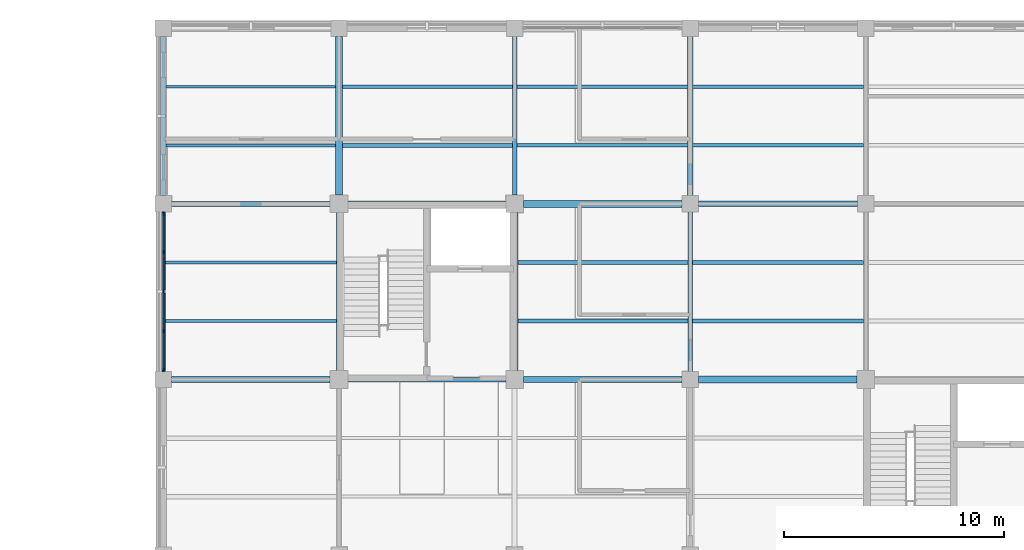
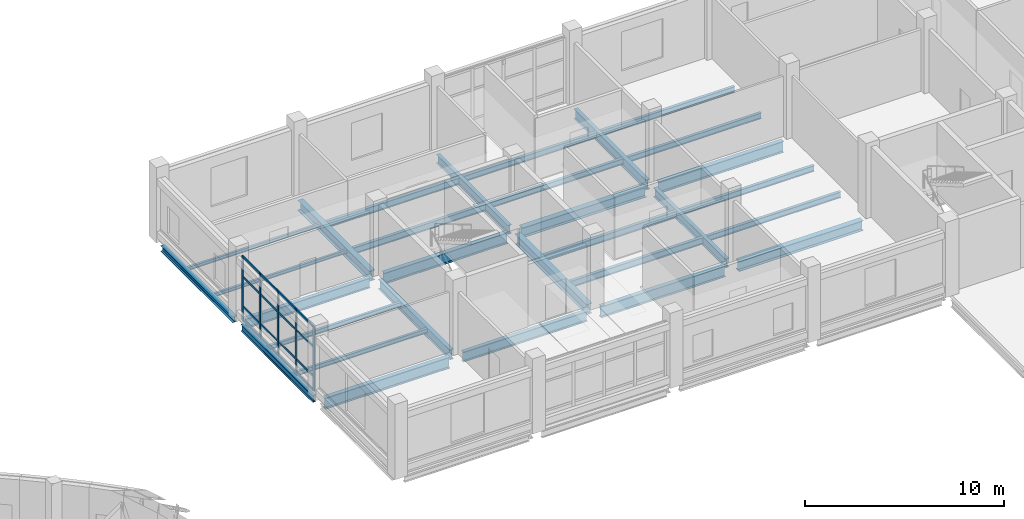
# One storey, part 56 of 121: 30 beams, 21 members, 1 element without a shape of its own.
"""IFC4 building model written with IfcOpenShell, lengths in metres."""

from ifc_helpers import new_model, si_unit, derived_unit, direction, frame, origin, origin_2d, place, context, subcontext, project, spatial, rectangle, i_section, extrude, material, layer, layer_set, material_profile, profile_set, type_object, element, aggregate, save


model = new_model("IFC4")

# Units and contexts
model_context = context("Model", 3, precision=1e-05, world=origin(), true_north=direction((0.0, 1.0)))
body_context = subcontext(model_context, "Body", "Model", "MODEL_VIEW")
ifc_project = project(units=[si_unit("LENGTHUNIT", "METRE"), si_unit("AREAUNIT", "SQUARE_METRE"), si_unit("VOLUMEUNIT", "CUBIC_METRE"), si_unit("PLANEANGLEUNIT", "RADIAN"), si_unit("MASSUNIT", "GRAM", prefix="KILO"), derived_unit("THERMALTRANSMITTANCEUNIT", [(si_unit("MASSUNIT", "GRAM", prefix="KILO"), 1), (si_unit("TIMEUNIT", "SECOND"), -3), (si_unit("THERMODYNAMICTEMPERATUREUNIT", "KELVIN"), -1)])], contexts=[model_context])

# Site, building, storey
site_placement = place(None, origin())
site = spatial("IfcSite", under=ifc_project, at=site_placement, CompositionType="ELEMENT")
building_placement = place(site_placement, origin())
building = spatial("IfcBuilding", under=site, at=building_placement, Name="Veyamyaing Civic Hall", CompositionType="ELEMENT")
storey_placement = place(building_placement, frame((0.0, 0.0, 5.280029296875)))
storey = spatial("IfcBuildingStorey", under=building, at=storey_placement, Name="L01", CompositionType="ELEMENT", Elevation=5.280029296875)

# Beams
ifc_material_1 = material(Name="Steel ASTM A992", Category="steel")
ifc_material_profile_1 = material_profile(ifc_material_1, i_section(OverallWidth=0.256103515625, OverallDepth=0.693115234375, WebThickness=0.014404296875, FlangeThickness=0.023681640625, FilletRadius=0.013916015625, at=origin_2d()), Name="W690X170")
ifc_profile_set_1 = profile_set([ifc_material_profile_1], Name="Steel ASTM A992")
beam_type_1 = type_object("IfcBeamType", Name="B-04", PredefinedType="BEAM", material=ifc_profile_set_1)
beam_1_placement = place(storey_placement, frame((128.375, 96.0, -0.591552734375), z_axis=(1.0, 0.0, 0.0), x_axis=(0.0, 1.0, 0.0)))
element("IfcBeam", 1, at=beam_1_placement, inside=storey, type_object=beam_type_1, Name="Girder B-04 L01 Grid N 17-18", PredefinedType="BEAM", context=body_context, shape_type="SweptSolid", body=[
    extrude(i_section(OverallWidth=0.256103515625, OverallDepth=0.693115234375, WebThickness=0.014404296875, FlangeThickness=0.023681640625, FilletRadius=0.013916015625, at=origin_2d()), origin(), (0.0, 0.0, 1.0), 7.22509765625),
])
beam_2_placement = place(storey_placement, frame((152.375, 104.0, -0.591552734375), z_axis=(1.0, 0.0, 0.0), x_axis=(0.0, 1.0, 0.0)))
element("IfcBeam", 2, at=beam_2_placement, inside=storey, type_object=beam_type_1, Name="Girder B-04 L01 Grid P 20-21", PredefinedType="BEAM", context=body_context, shape_type="SweptSolid", body=[
    extrude(i_section(OverallWidth=0.256103515625, OverallDepth=0.693115234375, WebThickness=0.014404296875, FlangeThickness=0.023681640625, FilletRadius=0.013916015625, at=origin_2d()), origin(), (0.0, 0.0, 1.0), 7.25),
])
ifc_material_profile_2 = material_profile(ifc_material_1, i_section(OverallWidth=0.22998046875, OverallDepth=0.616943359375, WebThickness=0.01318359375, FlangeThickness=0.022216796875, FilletRadius=0.012939453125, at=origin_2d()), Name="W610X140")
ifc_profile_set_2 = profile_set([ifc_material_profile_2], Name="Steel ASTM A992")
beam_type_2 = type_object("IfcBeamType", Name="B-05", PredefinedType="BEAM", material=ifc_profile_set_2)
beam_3_placement = place(storey_placement, frame((136.39990234375, 96.0, -0.553466796875), z_axis=(1.0, 0.0, 0.0), x_axis=(0.0, 1.0, 0.0)))
element("IfcBeam", 3, at=beam_3_placement, inside=storey, type_object=beam_type_2, Name="Girder B-05 L01 Grid N 18-19", PredefinedType="BEAM", context=body_context, shape_type="SweptSolid", body=[
    extrude(i_section(OverallWidth=0.22998046875, OverallDepth=0.616943359375, WebThickness=0.01318359375, FlangeThickness=0.022216796875, FilletRadius=0.012939453125, at=origin_2d()), origin(), (0.0, 0.0, 1.0), 7.2001953125),
])
beam_4_placement = place(storey_placement, frame((128.375, 104.0, -0.553466796875), z_axis=(1.0, 0.0, 0.0), x_axis=(0.0, 1.0, 0.0)))
element("IfcBeam", 4, at=beam_4_placement, inside=storey, type_object=beam_type_2, Name="Girder B-05 L01 Grid P 17-18", PredefinedType="BEAM", context=body_context, shape_type="SweptSolid", body=[
    extrude(i_section(OverallWidth=0.22998046875, OverallDepth=0.616943359375, WebThickness=0.01318359375, FlangeThickness=0.022216796875, FilletRadius=0.012939453125, at=origin_2d()), origin(), (0.0, 0.0, 1.0), 7.22509765625),
])
beam_5_placement = place(storey_placement, frame((152.0, 104.375, -0.553466796875), z_axis=(0.0, 1.0, 0.0), x_axis=(-1.0, 0.0, 0.0)))
element("IfcBeam", 5, at=beam_5_placement, inside=storey, type_object=beam_type_2, Name="Girder B-05 L01 Grid 20 P-Q", PredefinedType="BEAM", context=body_context, shape_type="SweptSolid", body=[
    extrude(i_section(OverallWidth=0.22998046875, OverallDepth=0.616943359375, WebThickness=0.01318359375, FlangeThickness=0.022216796875, FilletRadius=0.012939453125, at=origin_2d()), origin(), (0.0, 0.0, 1.0), 7.25),
])
ifc_material_profile_3 = material_profile(ifc_material_1, i_section(OverallWidth=0.22802734375, OverallDepth=0.60791015625, WebThickness=0.01123046875, FlangeThickness=0.017333984375, FilletRadius=0.012939453125, at=origin_2d()), Name="W610X113")
ifc_profile_set_3 = profile_set([ifc_material_profile_3], Name="Steel ASTM A992")
beam_type_3 = type_object("IfcBeamType", Name="B-06", PredefinedType="BEAM", material=ifc_profile_set_3)
beam_6_placement = place(storey_placement, frame((136.0, 96.39990234375, -0.549072265625), z_axis=(0.0, 1.0, 0.0), x_axis=(-1.0, 0.0, 0.0)))
element("IfcBeam", 6, at=beam_6_placement, inside=storey, type_object=beam_type_3, Name="Girder B-06 L01 Grid 18 N-P", PredefinedType="BEAM", context=body_context, shape_type="SweptSolid", body=[
    extrude(i_section(OverallWidth=0.22802734375, OverallDepth=0.60791015625, WebThickness=0.01123046875, FlangeThickness=0.017333984375, FilletRadius=0.012939453125, at=origin_2d()), origin(), (0.0, 0.0, 1.0), 7.2001953125),
])
ifc_material_profile_4 = material_profile(ifc_material_1, i_section(OverallWidth=0.25390625, OverallDepth=0.68408203125, WebThickness=0.012451171875, FlangeThickness=0.01904296875, FilletRadius=0.013916015625, at=origin_2d()), Name="W690X140")
ifc_profile_set_4 = profile_set([ifc_material_profile_4], Name="Steel ASTM A992")
beam_type_4 = type_object("IfcBeamType", Name="B-14", PredefinedType="BEAM", material=ifc_profile_set_4)
beam_7_placement = place(storey_placement, frame((144.39990234375, 96.0, -0.5869140625), z_axis=(1.0, 0.0, 0.0), x_axis=(0.0, 1.0, 0.0)))
element("IfcBeam", 7, at=beam_7_placement, inside=storey, type_object=beam_type_4, Name="Girder B-14 L01 Grid N 19-20", PredefinedType="BEAM", context=body_context, shape_type="SweptSolid", body=[
    extrude(i_section(OverallWidth=0.25390625, OverallDepth=0.68408203125, WebThickness=0.012451171875, FlangeThickness=0.01904296875, FilletRadius=0.013916015625, at=origin_2d()), origin(), (0.0, 0.0, 1.0), 7.22509765625),
])
beam_8_placement = place(storey_placement, frame((136.39990234375, 104.0, -0.5869140625), z_axis=(1.0, 0.0, 0.0), x_axis=(0.0, 1.0, 0.0)))
element("IfcBeam", 8, at=beam_8_placement, inside=storey, type_object=beam_type_4, Name="Girder B-14 L01 Grid P 18-19", PredefinedType="BEAM", context=body_context, shape_type="SweptSolid", body=[
    extrude(i_section(OverallWidth=0.25390625, OverallDepth=0.68408203125, WebThickness=0.012451171875, FlangeThickness=0.01904296875, FilletRadius=0.013916015625, at=origin_2d()), origin(), (0.0, 0.0, 1.0), 7.2001953125),
])
ifc_material_profile_5 = material_profile(ifc_material_1, i_section(OverallWidth=0.324951171875, OverallDepth=0.615966796875, WebThickness=0.013916015625, FlangeThickness=0.021484375, FilletRadius=0.013916015625, at=origin_2d()), Name="W610X174")
ifc_profile_set_5 = profile_set([ifc_material_profile_5], Name="Steel ASTM A992")
beam_type_5 = type_object("IfcBeamType", Name="B-15", PredefinedType="BEAM", material=ifc_profile_set_5)
for number, where, z_axis, x_axis, name in (
    (9, (152.375, 96.0, -0.552978515625), (1.0, 0.0, 0.0), (0.0, 1.0, 0.0), "Girder B-15 L01 Grid N 20-21"),
    (10, (144.39990234375, 104.0, -0.552978515625), (1.0, 0.0, 0.0), (0.0, 1.0, 0.0), "Girder B-15 L01 Grid P 19-20"),
    (11, (136.0, 104.39990234375, -0.552978515625), (0.0, 1.0, 0.0), (-1.0, 0.0, 0.0), "Girder B-15 L01 Grid 18 P-Q"),
):
    element("IfcBeam", number, at=place(storey_placement, frame(where, z_axis=z_axis, x_axis=x_axis)), inside=storey, type_object=beam_type_5, Name=name, PredefinedType="BEAM", context=body_context, shape_type="SweptSolid", body=[
        extrude(i_section(OverallWidth=0.324951171875, OverallDepth=0.615966796875, WebThickness=0.013916015625, FlangeThickness=0.021484375, FilletRadius=0.013916015625, at=origin_2d()), origin(), (0.0, 0.0, 1.0), 7.22509765625),
    ])
beam_9_placement = place(storey_placement, frame((144.0, 96.39990234375, -0.552978515625), z_axis=(0.0, 1.0, 0.0), x_axis=(-1.0, 0.0, 0.0)))
element("IfcBeam", 12, at=beam_9_placement, inside=storey, type_object=beam_type_5, Name="Girder B-15 L01 Grid 19 N-P", PredefinedType="BEAM", context=body_context, shape_type="SweptSolid", body=[
    extrude(i_section(OverallWidth=0.324951171875, OverallDepth=0.615966796875, WebThickness=0.013916015625, FlangeThickness=0.021484375, FilletRadius=0.013916015625, at=origin_2d()), origin(), (0.0, 0.0, 1.0), 7.2001953125),
])
ifc_material_profile_6 = material_profile(ifc_material_1, i_section(OverallWidth=0.214111328125, OverallDepth=0.549072265625, WebThickness=0.0146484375, FlangeThickness=0.023681640625, FilletRadius=0.011962890625, at=origin_2d()), Name="W530X138")
ifc_profile_set_6 = profile_set([ifc_material_profile_6], Name="Steel ASTM A992")
beam_type_6 = type_object("IfcBeamType", Name="B-16", PredefinedType="BEAM", material=ifc_profile_set_6)
beam_10_placement = place(storey_placement, frame((144.0, 104.39990234375, -0.51953125), z_axis=(0.0, 1.0, 0.0), x_axis=(-1.0, 0.0, 0.0)))
element("IfcBeam", 13, at=beam_10_placement, inside=storey, type_object=beam_type_6, Name="Girder B-16 L01 Grid 19 P-Q", PredefinedType="BEAM", context=body_context, shape_type="SweptSolid", body=[
    extrude(i_section(OverallWidth=0.214111328125, OverallDepth=0.549072265625, WebThickness=0.0146484375, FlangeThickness=0.023681640625, FilletRadius=0.011962890625, at=origin_2d()), origin(), (0.0, 0.0, 1.0), 7.22509765625),
])
beam_11_placement = place(storey_placement, frame((152.0, 96.375, -0.51953125), z_axis=(0.0, 1.0, 0.0), x_axis=(-1.0, 0.0, 0.0)))
element("IfcBeam", 14, at=beam_11_placement, inside=storey, type_object=beam_type_6, Name="Girder B-16 L01 Grid 20 N-P", PredefinedType="BEAM", context=body_context, shape_type="SweptSolid", body=[
    extrude(i_section(OverallWidth=0.214111328125, OverallDepth=0.549072265625, WebThickness=0.0146484375, FlangeThickness=0.023681640625, FilletRadius=0.011962890625, at=origin_2d()), origin(), (0.0, 0.0, 1.0), 7.25),
])
ifc_material_profile_7 = material_profile(ifc_material_1, i_section(OverallWidth=0.180908203125, OverallDepth=0.4169921875, WebThickness=0.010986328125, FlangeThickness=0.018310546875, FilletRadius=0.010009765625, at=origin_2d()), Name="W410X85")
ifc_profile_set_7 = profile_set([ifc_material_profile_7], Name="Steel ASTM A992")
beam_type_7 = type_object("IfcBeamType", Name="B-19", PredefinedType="SPANDREL", material=ifc_profile_set_7)
beam_12_placement = place(storey_placement, frame((128.0, 96.375, -0.45361328125), z_axis=(0.0, 1.0, 0.0), x_axis=(-1.0, 0.0, 0.0)))
element("IfcBeam", 15, at=beam_12_placement, inside=storey, type_object=beam_type_7, Name="Girder B-19 L01 Grid 17 N-P", PredefinedType="SPANDREL", context=body_context, shape_type="SweptSolid", body=[
    extrude(i_section(OverallWidth=0.180908203125, OverallDepth=0.4169921875, WebThickness=0.010986328125, FlangeThickness=0.018310546875, FilletRadius=0.010009765625, at=origin_2d()), origin(), (0.0, 0.0, 1.0), 7.25),
])
ifc_material_profile_8 = material_profile(ifc_material_1, i_section(OverallWidth=0.25390625, OverallDepth=0.35302734375, WebThickness=0.009521484375, FlangeThickness=0.016357421875, FilletRadius=0.011962890625, at=origin_2d()), Name="W360X91")
ifc_profile_set_8 = profile_set([ifc_material_profile_8], Name="Steel ASTM A992")
beam_type_8 = type_object("IfcBeamType", Name="B-20", PredefinedType="SPANDREL", material=ifc_profile_set_8)
beam_13_placement = place(storey_placement, frame((128.0, 104.375, -0.421630859375), z_axis=(0.0, 1.0, 0.0), x_axis=(-1.0, 0.0, 0.0)))
element("IfcBeam", 16, at=beam_13_placement, inside=storey, type_object=beam_type_8, Name="Girder B-20 L01 Grid 17 P-Q", PredefinedType="SPANDREL", context=body_context, shape_type="SweptSolid", body=[
    extrude(i_section(OverallWidth=0.25390625, OverallDepth=0.35302734375, WebThickness=0.009521484375, FlangeThickness=0.016357421875, FilletRadius=0.011962890625, at=origin_2d()), origin(), (0.0, 0.0, 1.0), 7.25),
])

# Curtain wall, members
ifc_material_2 = material(Name="Anodised aluminium 6063-T6", Category="aluminium")
ifc_layer = layer(ifc_material_2, 0.159912109375, Name="Anodised aluminium 6063-T6")
ifc_layer_set = layer_set([ifc_layer], Name="Anodised aluminium 6063-T6")
curtain_wall_type = type_object("IfcCurtainWallType", Name="CW-02", PredefinedType="NOTDEFINED", material=ifc_layer_set)
curtain_wall_placement = place(storey_placement, origin())
curtain_wall = element("IfcCurtainWall", 17, at=curtain_wall_placement, inside=storey, type_object=curtain_wall_type, Name="Unitized curtain wall CW-02 L01 W 17.13", PredefinedType="NOTDEFINED")
ifc_material_profile_9 = material_profile(ifc_material_2, rectangle(XDim=0.06494140625, YDim=0.159912109375, at=origin_2d()), Name="ALU-MUL-65X160")
ifc_profile_set_9 = profile_set([ifc_material_profile_9], Name="Anodised aluminium 6063-T6")
member_type_1 = type_object("IfcMemberType", Name="CWM-01", PredefinedType="MULLION", material=ifc_profile_set_9)
member_1_placement = place(storey_placement, frame((128.0, 96.4375, 0.0), z_axis=(0.0, 0.0, 1.0), x_axis=(-1.0, 0.0, 0.0)))
member_1 = element("IfcMember", 18, at=member_1_placement, type_object=member_type_1, Name="CW-02 mullion 1", PredefinedType="MULLION", context=body_context, shape_type="SweptSolid", body=[
    extrude(rectangle(XDim=0.06494140625, YDim=0.159912109375, at=origin_2d()), origin(), (0.0, 0.0, 1.0), 3.973876953125),
])
member_2_placement = place(storey_placement, frame((128.0, 98.202392578125, 0.0), z_axis=(0.0, 0.0, 1.0), x_axis=(-1.0, 0.0, 0.0)))
member_2 = element("IfcMember", 19, at=member_2_placement, type_object=member_type_1, Name="CW-02 mullion 2", PredefinedType="MULLION", context=body_context, shape_type="SweptSolid", body=[
    extrude(rectangle(XDim=0.06494140625, YDim=0.159912109375, at=origin_2d()), origin(), (0.0, 0.0, 1.0), 3.973876953125),
])
member_3_placement = place(storey_placement, frame((128.0, 100.0, 0.0), z_axis=(0.0, 0.0, 1.0), x_axis=(-1.0, 0.0, 0.0)))
member_3 = element("IfcMember", 20, at=member_3_placement, type_object=member_type_1, Name="CW-02 mullion 3", PredefinedType="MULLION", context=body_context, shape_type="SweptSolid", body=[
    extrude(rectangle(XDim=0.06494140625, YDim=0.159912109375, at=origin_2d()), origin(), (0.0, 0.0, 1.0), 3.973876953125),
])
member_4_placement = place(storey_placement, frame((128.0, 101.797607421875, 0.0), z_axis=(0.0, 0.0, 1.0), x_axis=(-1.0, 0.0, 0.0)))
member_4 = element("IfcMember", 21, at=member_4_placement, type_object=member_type_1, Name="CW-02 mullion 4", PredefinedType="MULLION", context=body_context, shape_type="SweptSolid", body=[
    extrude(rectangle(XDim=0.06494140625, YDim=0.159912109375, at=origin_2d()), origin(), (0.0, 0.0, 1.0), 3.973876953125),
])
member_5_placement = place(storey_placement, frame((128.0, 103.5625, 0.0), z_axis=(0.0, 0.0, 1.0), x_axis=(-1.0, 0.0, 0.0)))
member_5 = element("IfcMember", 22, at=member_5_placement, type_object=member_type_1, Name="CW-02 mullion 5", PredefinedType="MULLION", context=body_context, shape_type="SweptSolid", body=[
    extrude(rectangle(XDim=0.06494140625, YDim=0.159912109375, at=origin_2d()), origin(), (0.0, 0.0, 1.0), 3.973876953125),
])
ifc_material_profile_10 = material_profile(ifc_material_2, rectangle(XDim=0.06494140625, YDim=0.1201171875, at=origin_2d()), Name="ALU-TRN-65X120")
ifc_profile_set_10 = profile_set([ifc_material_profile_10], Name="Anodised aluminium 6063-T6")
member_type_2 = type_object("IfcMemberType", Name="CWT-01", PredefinedType="USERDEFINED", material=ifc_profile_set_10)
member_6_placement = place(storey_placement, frame((128.0, 96.469970703125, 0.032470703125), z_axis=(0.0, 1.0, 0.0), x_axis=(-1.0, 0.0, 0.0)))
member_6 = element("IfcMember", 23, at=member_6_placement, type_object=member_type_2, Name="CW-02 transom 1.1", ObjectType="TRANSOM", PredefinedType="USERDEFINED", context=body_context, shape_type="SweptSolid", body=[
    extrude(rectangle(XDim=0.06494140625, YDim=0.1201171875, at=origin_2d()), origin(), (0.0, 0.0, 1.0), 1.699951171875),
])
member_7_placement = place(storey_placement, frame((128.0, 96.469970703125, 0.89990234375), z_axis=(0.0, 1.0, 0.0), x_axis=(-1.0, 0.0, 0.0)))
member_7 = element("IfcMember", 24, at=member_7_placement, type_object=member_type_2, Name="CW-02 transom 1.2", ObjectType="TRANSOM", PredefinedType="USERDEFINED", context=body_context, shape_type="SweptSolid", body=[
    extrude(rectangle(XDim=0.06494140625, YDim=0.1201171875, at=origin_2d()), origin(), (0.0, 0.0, 1.0), 1.699951171875),
])
member_8_placement = place(storey_placement, frame((128.0, 96.469970703125, 2.702392578125), z_axis=(0.0, 1.0, 0.0), x_axis=(-1.0, 0.0, 0.0)))
member_8 = element("IfcMember", 25, at=member_8_placement, type_object=member_type_2, Name="CW-02 transom 1.3", ObjectType="TRANSOM", PredefinedType="USERDEFINED", context=body_context, shape_type="SweptSolid", body=[
    extrude(rectangle(XDim=0.06494140625, YDim=0.1201171875, at=origin_2d()), origin(), (0.0, 0.0, 1.0), 1.699951171875),
])
member_9_placement = place(storey_placement, frame((128.0, 96.469970703125, 3.94140625), z_axis=(0.0, 1.0, 0.0), x_axis=(-1.0, 0.0, 0.0)))
member_9 = element("IfcMember", 26, at=member_9_placement, type_object=member_type_2, Name="CW-02 transom 1.4", ObjectType="TRANSOM", PredefinedType="USERDEFINED", context=body_context, shape_type="SweptSolid", body=[
    extrude(rectangle(XDim=0.06494140625, YDim=0.1201171875, at=origin_2d()), origin(), (0.0, 0.0, 1.0), 1.699951171875),
])
member_10_placement = place(storey_placement, frame((128.0, 98.235107421875, 0.032470703125), z_axis=(0.0, 1.0, 0.0), x_axis=(-1.0, 0.0, 0.0)))
member_10 = element("IfcMember", 27, at=member_10_placement, type_object=member_type_2, Name="CW-02 transom 2.1", ObjectType="TRANSOM", PredefinedType="USERDEFINED", context=body_context, shape_type="SweptSolid", body=[
    extrude(rectangle(XDim=0.06494140625, YDim=0.1201171875, at=origin_2d()), origin(), (0.0, 0.0, 1.0), 1.732421875),
])
member_11_placement = place(storey_placement, frame((128.0, 98.235107421875, 0.89990234375), z_axis=(0.0, 1.0, 0.0), x_axis=(-1.0, 0.0, 0.0)))
member_11 = element("IfcMember", 28, at=member_11_placement, type_object=member_type_2, Name="CW-02 transom 2.2", ObjectType="TRANSOM", PredefinedType="USERDEFINED", context=body_context, shape_type="SweptSolid", body=[
    extrude(rectangle(XDim=0.06494140625, YDim=0.1201171875, at=origin_2d()), origin(), (0.0, 0.0, 1.0), 1.732421875),
])
member_12_placement = place(storey_placement, frame((128.0, 98.235107421875, 2.702392578125), z_axis=(0.0, 1.0, 0.0), x_axis=(-1.0, 0.0, 0.0)))
member_12 = element("IfcMember", 29, at=member_12_placement, type_object=member_type_2, Name="CW-02 transom 2.3", ObjectType="TRANSOM", PredefinedType="USERDEFINED", context=body_context, shape_type="SweptSolid", body=[
    extrude(rectangle(XDim=0.06494140625, YDim=0.1201171875, at=origin_2d()), origin(), (0.0, 0.0, 1.0), 1.732421875),
])
member_13_placement = place(storey_placement, frame((128.0, 98.235107421875, 3.94140625), z_axis=(0.0, 1.0, 0.0), x_axis=(-1.0, 0.0, 0.0)))
member_13 = element("IfcMember", 30, at=member_13_placement, type_object=member_type_2, Name="CW-02 transom 2.4", ObjectType="TRANSOM", PredefinedType="USERDEFINED", context=body_context, shape_type="SweptSolid", body=[
    extrude(rectangle(XDim=0.06494140625, YDim=0.1201171875, at=origin_2d()), origin(), (0.0, 0.0, 1.0), 1.732421875),
])
member_14_placement = place(storey_placement, frame((128.0, 100.032470703125, 0.032470703125), z_axis=(0.0, 1.0, 0.0), x_axis=(-1.0, 0.0, 0.0)))
member_14 = element("IfcMember", 31, at=member_14_placement, type_object=member_type_2, Name="CW-02 transom 3.1", ObjectType="TRANSOM", PredefinedType="USERDEFINED", context=body_context, shape_type="SweptSolid", body=[
    extrude(rectangle(XDim=0.06494140625, YDim=0.1201171875, at=origin_2d()), origin(), (0.0, 0.0, 1.0), 1.732421875),
])
member_15_placement = place(storey_placement, frame((128.0, 100.032470703125, 0.89990234375), z_axis=(0.0, 1.0, 0.0), x_axis=(-1.0, 0.0, 0.0)))
member_15 = element("IfcMember", 32, at=member_15_placement, type_object=member_type_2, Name="CW-02 transom 3.2", ObjectType="TRANSOM", PredefinedType="USERDEFINED", context=body_context, shape_type="SweptSolid", body=[
    extrude(rectangle(XDim=0.06494140625, YDim=0.1201171875, at=origin_2d()), origin(), (0.0, 0.0, 1.0), 1.732421875),
])
member_16_placement = place(storey_placement, frame((128.0, 100.032470703125, 2.702392578125), z_axis=(0.0, 1.0, 0.0), x_axis=(-1.0, 0.0, 0.0)))
member_16 = element("IfcMember", 33, at=member_16_placement, type_object=member_type_2, Name="CW-02 transom 3.3", ObjectType="TRANSOM", PredefinedType="USERDEFINED", context=body_context, shape_type="SweptSolid", body=[
    extrude(rectangle(XDim=0.06494140625, YDim=0.1201171875, at=origin_2d()), origin(), (0.0, 0.0, 1.0), 1.732421875),
])
member_17_placement = place(storey_placement, frame((128.0, 100.032470703125, 3.94140625), z_axis=(0.0, 1.0, 0.0), x_axis=(-1.0, 0.0, 0.0)))
member_17 = element("IfcMember", 34, at=member_17_placement, type_object=member_type_2, Name="CW-02 transom 3.4", ObjectType="TRANSOM", PredefinedType="USERDEFINED", context=body_context, shape_type="SweptSolid", body=[
    extrude(rectangle(XDim=0.06494140625, YDim=0.1201171875, at=origin_2d()), origin(), (0.0, 0.0, 1.0), 1.732421875),
])
member_18_placement = place(storey_placement, frame((128.0, 101.830078125, 0.032470703125), z_axis=(0.0, 1.0, 0.0), x_axis=(-1.0, 0.0, 0.0)))
member_18 = element("IfcMember", 35, at=member_18_placement, type_object=member_type_2, Name="CW-02 transom 4.1", ObjectType="TRANSOM", PredefinedType="USERDEFINED", context=body_context, shape_type="SweptSolid", body=[
    extrude(rectangle(XDim=0.06494140625, YDim=0.1201171875, at=origin_2d()), origin(), (0.0, 0.0, 1.0), 1.699951171875),
])
member_19_placement = place(storey_placement, frame((128.0, 101.830078125, 0.89990234375), z_axis=(0.0, 1.0, 0.0), x_axis=(-1.0, 0.0, 0.0)))
member_19 = element("IfcMember", 36, at=member_19_placement, type_object=member_type_2, Name="CW-02 transom 4.2", ObjectType="TRANSOM", PredefinedType="USERDEFINED", context=body_context, shape_type="SweptSolid", body=[
    extrude(rectangle(XDim=0.06494140625, YDim=0.1201171875, at=origin_2d()), origin(), (0.0, 0.0, 1.0), 1.699951171875),
])
member_20_placement = place(storey_placement, frame((128.0, 101.830078125, 2.702392578125), z_axis=(0.0, 1.0, 0.0), x_axis=(-1.0, 0.0, 0.0)))
member_20 = element("IfcMember", 37, at=member_20_placement, type_object=member_type_2, Name="CW-02 transom 4.3", ObjectType="TRANSOM", PredefinedType="USERDEFINED", context=body_context, shape_type="SweptSolid", body=[
    extrude(rectangle(XDim=0.06494140625, YDim=0.1201171875, at=origin_2d()), origin(), (0.0, 0.0, 1.0), 1.699951171875),
])
member_21_placement = place(storey_placement, frame((128.0, 101.830078125, 3.94140625), z_axis=(0.0, 1.0, 0.0), x_axis=(-1.0, 0.0, 0.0)))
member_21 = element("IfcMember", 38, at=member_21_placement, type_object=member_type_2, Name="CW-02 transom 4.4", ObjectType="TRANSOM", PredefinedType="USERDEFINED", context=body_context, shape_type="SweptSolid", body=[
    extrude(rectangle(XDim=0.06494140625, YDim=0.1201171875, at=origin_2d()), origin(), (0.0, 0.0, 1.0), 1.699951171875),
])
aggregate(curtain_wall, [member_1, member_2, member_3, member_4, member_5, member_6, member_7, member_8, member_9, member_10, member_11, member_12, member_13, member_14, member_15, member_16, member_17, member_18, member_19, member_20, member_21])

# Beams
ifc_material_profile_11 = material_profile(ifc_material_1, i_section(OverallWidth=0.177978515625, OverallDepth=0.406982421875, WebThickness=0.0078125, FlangeThickness=0.0126953125, FilletRadius=0.010009765625, at=origin_2d()), Name="W410X60")
ifc_profile_set_11 = profile_set([ifc_material_profile_11], Name="Steel ASTM A992")
beam_type_9 = type_object("IfcBeamType", Name="J-01", PredefinedType="JOIST", material=ifc_profile_set_11)
for number, where, z_axis, x_axis, name in (
    (39, (136.160400390625, 106.666748046875, -0.448486328125), (1.0, 0.0, 0.0), (0.0, 1.0, 0.0), "Composite floor joist J-01 L01 18.14.1"),
    (40, (136.160400390625, 109.333251953125, -0.448486328125), (1.0, 0.0, 0.0), (0.0, 1.0, 0.0), "Composite floor joist J-01 L01 18.14.2"),
    (41, (144.160400390625, 98.666748046875, -0.448486328125), (1.0, 0.0, 0.0), (0.0, 1.0, 0.0), "Composite floor joist J-01 L01 19.13.1"),
    (42, (144.160400390625, 101.333251953125, -0.448486328125), (1.0, 0.0, 0.0), (0.0, 1.0, 0.0), "Composite floor joist J-01 L01 19.13.2"),
):
    element("IfcBeam", number, at=place(storey_placement, frame(where, z_axis=z_axis, x_axis=x_axis)), inside=storey, type_object=beam_type_9, Name=name, PredefinedType="JOIST", context=body_context, shape_type="SweptSolid", body=[
        extrude(i_section(OverallWidth=0.177978515625, OverallDepth=0.406982421875, WebThickness=0.0078125, FlangeThickness=0.0126953125, FilletRadius=0.010009765625, at=origin_2d()), origin(), (0.0, 0.0, 1.0), 7.734619140625),
    ])
ifc_material_profile_12 = material_profile(ifc_material_1, i_section(OverallWidth=0.172119140625, OverallDepth=0.35791015625, WebThickness=0.0078125, FlangeThickness=0.01318359375, FilletRadius=0.010009765625, at=origin_2d()), Name="W360X57")
ifc_profile_set_12 = profile_set([ifc_material_profile_12], Name="Steel ASTM A992")
beam_type_10 = type_object("IfcBeamType", Name="J-02", PredefinedType="JOIST", material=ifc_profile_set_12)
for number, where, z_axis, x_axis, name in (
    (43, (144.10498046875, 106.666748046875, -0.424072265625), (1.0, 0.0, 0.0), (0.0, 1.0, 0.0), "Composite floor joist J-02 L01 19.14.1"),
    (44, (144.10498046875, 109.333251953125, -0.424072265625), (1.0, 0.0, 0.0), (0.0, 1.0, 0.0), "Composite floor joist J-02 L01 19.14.2"),
    (45, (152.10498046875, 98.666748046875, -0.424072265625), (1.0, 0.0, 0.0), (0.0, 1.0, 0.0), "Composite floor joist J-02 L01 20.13.1"),
    (46, (152.10498046875, 101.333251953125, -0.424072265625), (1.0, 0.0, 0.0), (0.0, 1.0, 0.0), "Composite floor joist J-02 L01 20.13.2"),
):
    element("IfcBeam", number, at=place(storey_placement, frame(where, z_axis=z_axis, x_axis=x_axis)), inside=storey, type_object=beam_type_10, Name=name, PredefinedType="JOIST", context=body_context, shape_type="SweptSolid", body=[
        extrude(i_section(OverallWidth=0.172119140625, OverallDepth=0.35791015625, WebThickness=0.0078125, FlangeThickness=0.01318359375, FilletRadius=0.010009765625, at=origin_2d()), origin(), (0.0, 0.0, 1.0), 7.781982421875),
    ])
ifc_material_profile_13 = material_profile(ifc_material_1, i_section(OverallWidth=0.1708984375, OverallDepth=0.35205078125, WebThickness=0.0068359375, FlangeThickness=0.009765625, FilletRadius=0.010009765625, at=origin_2d()), Name="W360X44")
ifc_profile_set_13 = profile_set([ifc_material_profile_13], Name="Steel ASTM A992")
beam_type_11 = type_object("IfcBeamType", Name="J-03", PredefinedType="JOIST", material=ifc_profile_set_13)
for number, where, z_axis, x_axis, name in (
    (47, (152.113037109375, 106.666748046875, -0.421142578125), (1.0, 0.0, 0.0), (0.0, 1.0, 0.0), "Composite floor joist J-03 L01 20.14.1"),
    (48, (152.113037109375, 109.333251953125, -0.421142578125), (1.0, 0.0, 0.0), (0.0, 1.0, 0.0), "Composite floor joist J-03 L01 20.14.2"),
):
    element("IfcBeam", number, at=place(storey_placement, frame(where, z_axis=z_axis, x_axis=x_axis)), inside=storey, type_object=beam_type_11, Name=name, PredefinedType="JOIST", context=body_context, shape_type="SweptSolid", body=[
        extrude(i_section(OverallWidth=0.1708984375, OverallDepth=0.35205078125, WebThickness=0.0068359375, FlangeThickness=0.009765625, FilletRadius=0.010009765625, at=origin_2d()), origin(), (0.0, 0.0, 1.0), 7.77490234375),
    ])
ifc_material_profile_14 = material_profile(ifc_material_1, i_section(OverallWidth=0.14794921875, OverallDepth=0.26611328125, WebThickness=0.007568359375, FlangeThickness=0.012939453125, FilletRadius=0.010009765625, at=origin_2d()), Name="W250X45")
ifc_profile_set_14 = profile_set([ifc_material_profile_14], Name="Steel ASTM A992")
beam_type_12 = type_object("IfcBeamType", Name="J-07", PredefinedType="JOIST", material=ifc_profile_set_14)
for number, where, z_axis, x_axis, name in (
    (49, (128.08837890625, 98.666748046875, -0.3779296875), (1.0, 0.0, 0.0), (0.0, 1.0, 0.0), "Composite floor joist J-07 L01 17.13.1"),
    (50, (128.08837890625, 101.333251953125, -0.3779296875), (1.0, 0.0, 0.0), (0.0, 1.0, 0.0), "Composite floor joist J-07 L01 17.13.2"),
):
    element("IfcBeam", number, at=place(storey_placement, frame(where, z_axis=z_axis, x_axis=x_axis)), inside=storey, type_object=beam_type_12, Name=name, PredefinedType="JOIST", context=body_context, shape_type="SweptSolid", body=[
        extrude(i_section(OverallWidth=0.14794921875, OverallDepth=0.26611328125, WebThickness=0.007568359375, FlangeThickness=0.012939453125, FilletRadius=0.010009765625, at=origin_2d()), origin(), (0.0, 0.0, 1.0), 7.799560546875),
    ])
ifc_material_profile_15 = material_profile(ifc_material_1, i_section(OverallWidth=0.133056640625, OverallDepth=0.20703125, WebThickness=0.005859375, FlangeThickness=0.00830078125, FilletRadius=0.010009765625, at=origin_2d()), Name="W200X27")
ifc_profile_set_15 = profile_set([ifc_material_profile_15], Name="Steel ASTM A992")
beam_type_13 = type_object("IfcBeamType", Name="J-08", PredefinedType="JOIST", material=ifc_profile_set_15)
for number, where, z_axis, x_axis, name in (
    (51, (128.125, 106.666748046875, -0.3486328125), (1.0, 0.0, 0.0), (0.0, 1.0, 0.0), "Composite floor joist J-08 L01 17.14.1"),
    (52, (128.125, 109.333251953125, -0.3486328125), (1.0, 0.0, 0.0), (0.0, 1.0, 0.0), "Composite floor joist J-08 L01 17.14.2"),
):
    element("IfcBeam", number, at=place(storey_placement, frame(where, z_axis=z_axis, x_axis=x_axis)), inside=storey, type_object=beam_type_13, Name=name, PredefinedType="JOIST", context=body_context, shape_type="SweptSolid", body=[
        extrude(i_section(OverallWidth=0.133056640625, OverallDepth=0.20703125, WebThickness=0.005859375, FlangeThickness=0.00830078125, FilletRadius=0.010009765625, at=origin_2d()), origin(), (0.0, 0.0, 1.0), 7.714599609375),
    ])

save(model, "model.ifc")
